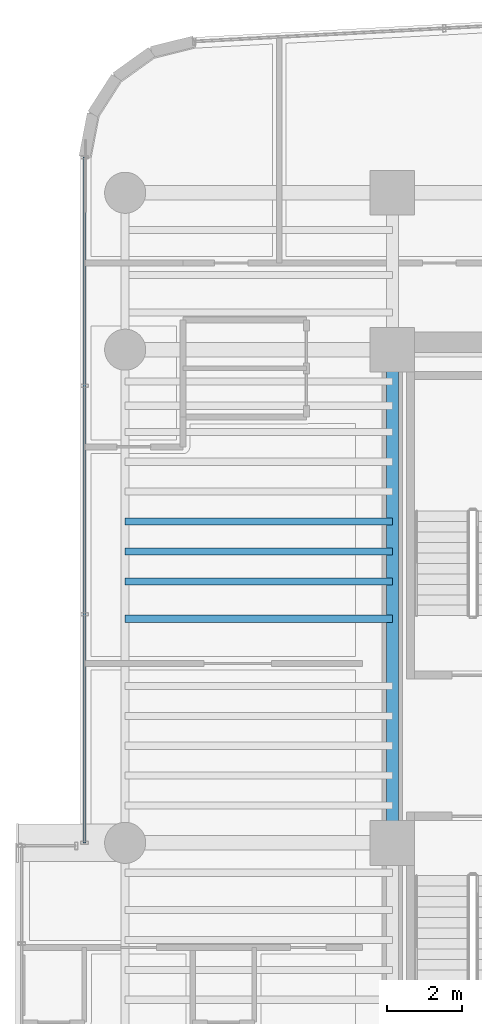
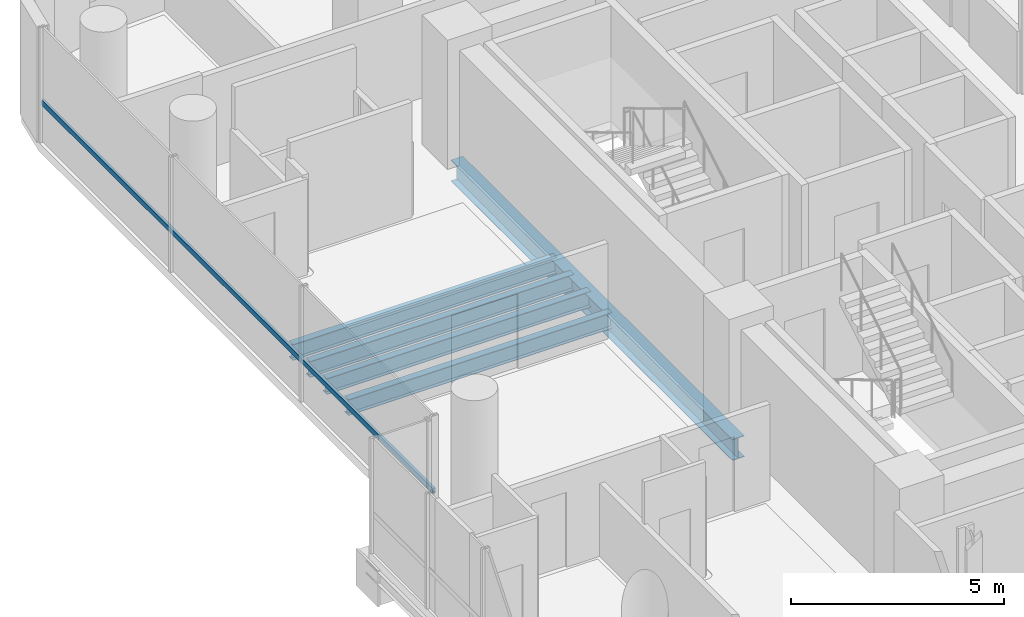
# One storey, part 9 of 35: 5 beams, 1 member, 1 element without a shape of its own.
"""IFC4 building model written with IfcOpenShell, lengths in metres."""

from ifc_helpers import new_model, si_unit, direction, frame, origin, origin_2d, place, context, subcontext, project, spatial, hollow_rectangle, i_section, extrude, source, transform, mapped, material, material_profile, profile_set, type_object, element, aggregate, save


model = new_model("IFC4")

# Units and contexts
model_context = context("Model", 3, precision=1e-05, world=origin(), true_north=direction((0.0, 1.0)))
body_context = subcontext(model_context, "Body", "Model", "MODEL_VIEW")
ifc_project = project(units=[si_unit("LENGTHUNIT", "METRE"), si_unit("AREAUNIT", "SQUARE_METRE"), si_unit("VOLUMEUNIT", "CUBIC_METRE"), si_unit("PLANEANGLEUNIT", "RADIAN"), si_unit("MASSUNIT", "GRAM", prefix="KILO")], contexts=[model_context])

# Site, building, storey
site_placement = place(None, origin())
site = spatial("IfcSite", under=ifc_project, at=site_placement, CompositionType="ELEMENT")
building_placement = place(site_placement, origin())
building = spatial("IfcBuilding", under=site, at=building_placement, Name="Valdorenza Pilgrim Sanctuary Tower", CompositionType="ELEMENT")
storey_placement = place(building_placement, frame((0.0, 0.0, 168.60009765625)))
storey = spatial("IfcBuildingStorey", under=building, at=storey_placement, Name="L43", CompositionType="ELEMENT", Elevation=168.60009765625)

# Beams
ifc_material_1 = material(Name="Steel ASTM A992 Grade 50", Category="steel")
ifc_material_profile_1 = material_profile(ifc_material_1, i_section(OverallWidth=0.323974609375, OverallDepth=0.611083984375, WebThickness=0.0126953125, FlangeThickness=0.01904296875, at=origin_2d()), Name="W24X104")
ifc_profile_set_1 = profile_set([ifc_material_profile_1], Name="Steel ASTM A992 Grade 50")
beam_type_1 = type_object("IfcBeamType", Name="STR-BM-GRD-W24B", PredefinedType="BEAM", material=ifc_profile_set_1)
shared_shape_1 = source(origin(), body_context, "Body", "SweptSolid", [
    extrude(i_section(OverallWidth=0.323974609375, OverallDepth=0.611083984375, WebThickness=0.0126953125, FlangeThickness=0.01904296875, at=origin_2d()), origin(), (0.0, 0.0, 1.0), 13.2001953125),
])
beam_placement = place(storey_placement, frame((-22.64990234375, -2.60009765625, -0.545654296875), z_axis=(0.0, 1.0, 0.0), x_axis=(-1.0, 0.0, 0.0)))
element("IfcBeam", 1, at=beam_placement, inside=storey, type_object=beam_type_1, Name="L43 Core Tie Girder CA-W-M0N1", PredefinedType="BEAM", context=body_context, shape_type="MappedRepresentation", body=[
    mapped(shared_shape_1, transform((0.0, 0.0, 0.0), x_axis=(1.0, 0.0, 0.0), y_axis=(0.0, 1.0, 0.0), z_axis=(0.0, 0.0, 1.0), scale=1.0)),
])
ifc_material_profile_2 = material_profile(ifc_material_1, i_section(OverallWidth=0.19091796875, OverallDepth=0.45703125, WebThickness=0.009033203125, FlangeThickness=0.014404296875, at=origin_2d()), Name="W18X50")
ifc_profile_set_2 = profile_set([ifc_material_profile_2], Name="Steel ASTM A992 Grade 50")
beam_type_2 = type_object("IfcBeamType", Name="STR-BM-JST-W18B", PredefinedType="JOIST", material=ifc_profile_set_2)
shared_shape_2 = source(origin(), body_context, "Body", "SweptSolid", [
    extrude(i_section(OverallWidth=0.19091796875, OverallDepth=0.45703125, WebThickness=0.009033203125, FlangeThickness=0.014404296875, at=origin_2d()), origin(), (0.0, 0.0, 1.0), 7.150146484375),
])
for number, where, z_axis, x_axis, name in (
    (2, (-29.800048828125, 3.39990234375, -0.468505859375), (1.0, 0.0, 0.0), (0.0, 1.0, 0.0), "L43 Composite Floor Joist JST-WA-15"),
    (3, (-29.800048828125, 4.39990234375, -0.468505859375), (1.0, 0.0, 0.0), (0.0, 1.0, 0.0), "L43 Composite Floor Joist JST-WA-16"),
    (4, (-29.800048828125, 5.199951171875, -0.468505859375), (1.0, 0.0, 0.0), (0.0, 1.0, 0.0), "L43 Composite Floor Joist JST-WA-17"),
    (5, (-29.800048828125, 6.0, -0.468505859375), (1.0, 0.0, 0.0), (0.0, 1.0, 0.0), "L43 Composite Floor Joist JST-WA-18"),
):
    element("IfcBeam", number, at=place(storey_placement, frame(where, z_axis=z_axis, x_axis=x_axis)), inside=storey, type_object=beam_type_2, Name=name, PredefinedType="JOIST", context=body_context, shape_type="MappedRepresentation", body=[
        mapped(shared_shape_2, transform((0.0, 0.0, 0.0), x_axis=(1.0, 0.0, 0.0), y_axis=(0.0, 1.0, 0.0), z_axis=(0.0, 0.0, 1.0), scale=1.0)),
    ])

# Curtain wall, member
ifc_material_2 = material(Name="Curtain-wall IGU glazing", Category="glass")
curtain_wall_type = type_object("IfcCurtainWallType", Name="CW-SYS-02", PredefinedType="NOTDEFINED", material=ifc_material_2)
curtain_wall_placement = place(storey_placement, origin())
curtain_wall = element("IfcCurtainWall", 6, at=curtain_wall_placement, inside=storey, type_object=curtain_wall_type, Name="L43 Curtain Wall CW-L43-1-1S2", PredefinedType="NOTDEFINED")
ifc_material_3 = material(Name="Anodised aluminium AW-6060", Category="aluminium")
ifc_material_profile_3 = material_profile(ifc_material_3, hollow_rectangle(XDim=0.074951171875, YDim=0.14990234375, WallThickness=0.00390625, at=origin_2d()), Name="ALU-T 150x75x4")
ifc_profile_set_3 = profile_set([ifc_material_profile_3], Name="Anodised aluminium AW-6060")
member_type = type_object("IfcMemberType", Name="CW-TRN-02", PredefinedType="USERDEFINED", material=ifc_profile_set_3)
shared_shape_3 = source(origin(), body_context, "Body", "SweptSolid", [
    extrude(hollow_rectangle(XDim=0.074951171875, YDim=0.14990234375, WallThickness=0.00390625, at=origin_2d()), origin(), (0.0, 0.0, 1.0), 18.354248046875),
])
member_placement = place(storey_placement, frame((-30.889892578125, -2.60009765625, 1.119873046875), z_axis=(0.0, 1.0, 0.0), x_axis=(-1.0, 0.0, 0.0)))
member = element("IfcMember", 7, at=member_placement, type_object=member_type, Name="CW-L43-1-1S2 Transom 1", ObjectType="TRANSOM", PredefinedType="USERDEFINED", context=body_context, shape_type="MappedRepresentation", body=[
    mapped(shared_shape_3, transform((0.0, 0.0, 0.0), x_axis=(1.0, 0.0, 0.0), y_axis=(0.0, 1.0, 0.0), z_axis=(0.0, 0.0, 1.0), scale=1.0)),
])
aggregate(curtain_wall, [member])

save(model, "model.ifc")
